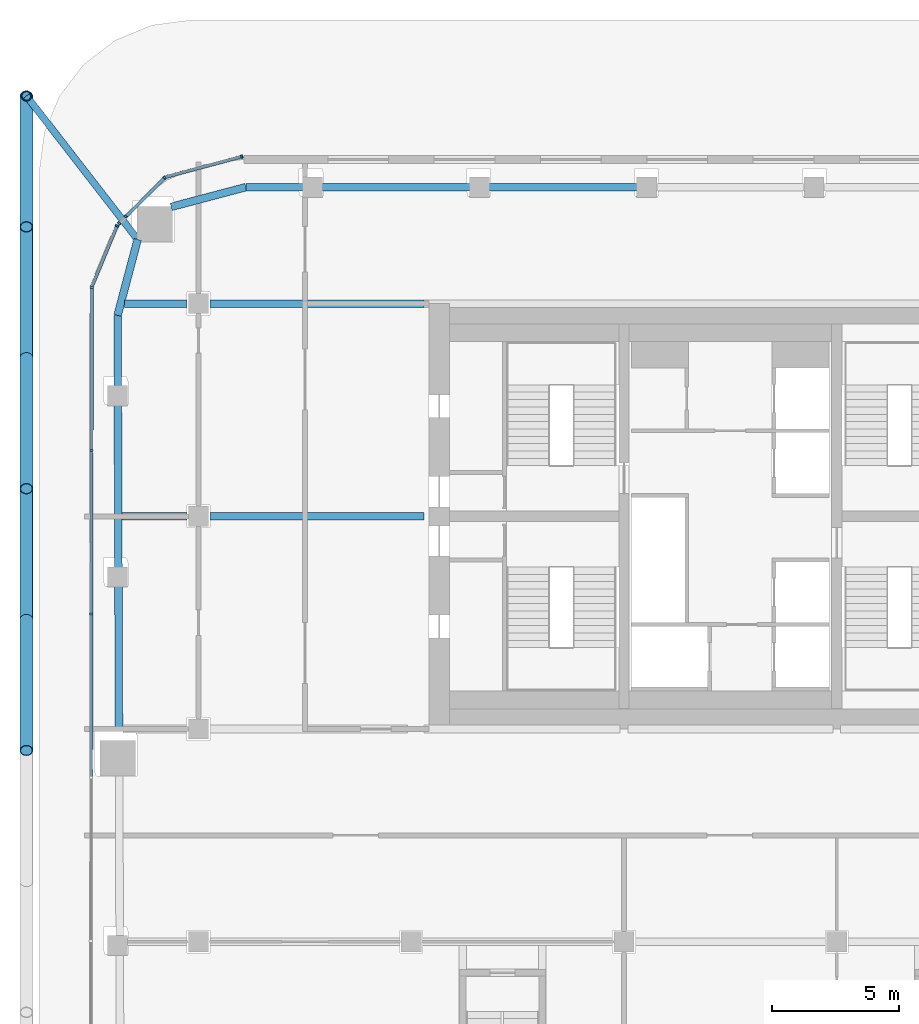
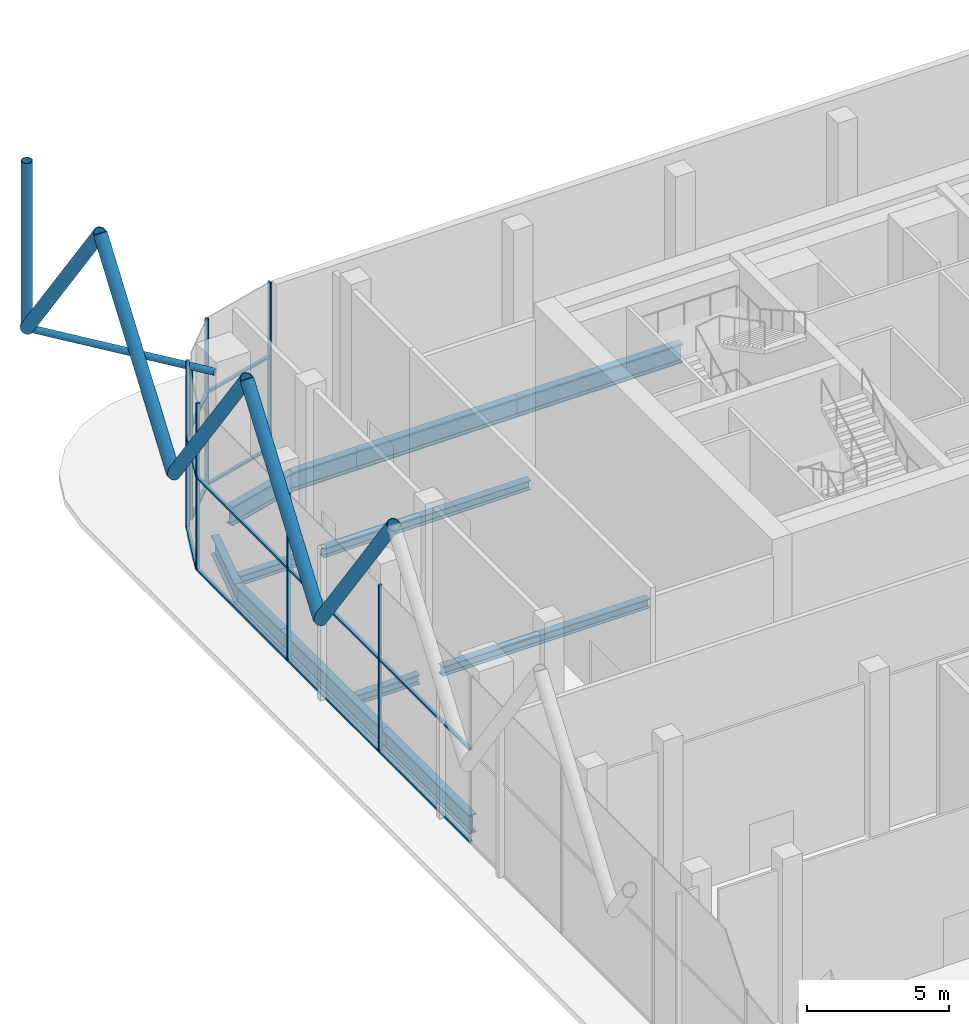
# One storey, part 8 of 25: 27 members, 12 beams, 5 elements without a shape of their own.
"""IFC4 building model written with IfcOpenShell, lengths in metres."""

from ifc_helpers import new_model, si_unit, direction, frame, origin, origin_2d, place, context, subcontext, project, spatial, rectangle, hollow_circle, i_section, extrude, material, layer, layer_set, material_profile, profile_set, type_object, element, aggregate, save


model = new_model("IFC4")

# Units and contexts
model_context = context("Model", 3, precision=1e-05, world=origin(), true_north=direction((0.0, 1.0)))
body_context = subcontext(model_context, "Body", "Model", "MODEL_VIEW")
ifc_project = project(units=[si_unit("LENGTHUNIT", "METRE"), si_unit("AREAUNIT", "SQUARE_METRE"), si_unit("VOLUMEUNIT", "CUBIC_METRE"), si_unit("PLANEANGLEUNIT", "RADIAN"), si_unit("MASSUNIT", "GRAM", prefix="KILO")], contexts=[model_context])

# Site, building, storey
site_placement = place(None, origin())
site = spatial("IfcSite", under=ifc_project, at=site_placement, CompositionType="ELEMENT")
building_placement = place(site_placement, origin())
building = spatial("IfcBuilding", under=site, at=building_placement, Name="Marenta Gate Hotel Tower", CompositionType="ELEMENT")
storey_placement = place(building_placement, frame((0.0, 0.0, 180.5)))
storey = spatial("IfcBuildingStorey", under=building, at=storey_placement, Name="L41", CompositionType="ELEMENT", Elevation=180.5)

# Members
ifc_material_1 = material(Name="Steel S355J2W", Category="steel")
ifc_material_profile_1 = material_profile(ifc_material_1, hollow_circle(Radius=0.203125, WallThickness=0.02490234375, at=origin_2d()), Name="CHS 406.4x25")
ifc_profile_set_1 = profile_set([ifc_material_profile_1], Name="Steel S355J2W")
member_type_1 = type_object("IfcMemberType", Name="Diagrid corner post Z3 CHS 406.4x25", PredefinedType="POST", material=ifc_profile_set_1)
member_1_placement = place(storey_placement, frame((-27.800048828125, 25.0, 6.739990234375), z_axis=(0.0, 0.0, 1.0), x_axis=(1.0, 0.0, 0.0)))
element("IfcMember", 1, at=member_1_placement, inside=storey, type_object=member_type_1, Name="L41-DR-6", PredefinedType="POST", context=body_context, shape_type="SweptSolid", body=[
    extrude(hollow_circle(Radius=0.203125, WallThickness=0.02490234375, at=origin_2d()), origin(), (0.0, 0.0, 1.0), 7.199951171875),
])
ifc_material_2 = material(Name="Steel S355J2W", Category="steel")
ifc_material_profile_2 = material_profile(ifc_material_2, hollow_circle(Radius=0.25390625, WallThickness=0.02490234375, at=origin_2d()), Name="CHS 508x25")
ifc_profile_set_2 = profile_set([ifc_material_profile_2], Name="Steel S355J2W")
member_type_2 = type_object("IfcMemberType", Name="Diagrid diagonal Z3 CHS 508x25", PredefinedType="BRACE", material=ifc_profile_set_2)
member_2_placement = place(storey_placement, frame((-27.800048828125, 4.31982421875, 6.739990234375), z_axis=(0.0, -0.583260841117, 0.812284919975), x_axis=(1.0, 0.0, 0.0)))
element("IfcMember", 2, at=member_2_placement, inside=storey, type_object=member_type_2, Name="L41-DG-30", PredefinedType="BRACE", context=body_context, shape_type="SweptSolid", body=[
    extrude(hollow_circle(Radius=0.25390625, WallThickness=0.02490234375, at=origin_2d()), origin(), (0.0, 0.0, 1.0), 8.86376953125),
])
member_3_placement = place(storey_placement, frame((-27.800048828125, 4.31982421875, 6.739990234375), z_axis=(0.0, 0.583279014058, 0.812271870595), x_axis=(-1.0, 0.0, 0.0)))
element("IfcMember", 3, at=member_3_placement, inside=storey, type_object=member_type_2, Name="L41-DG-31", PredefinedType="BRACE", context=body_context, shape_type="SweptSolid", body=[
    extrude(hollow_circle(Radius=0.25390625, WallThickness=0.02490234375, at=origin_2d()), origin(), (0.0, 0.0, 1.0), 8.864013671875),
])
member_4_placement = place(storey_placement, frame((-27.800048828125, 14.659912109375, 6.739990234375), z_axis=(0.0, -0.583260841117, 0.812284919975), x_axis=(1.0, 0.0, 0.0)))
element("IfcMember", 4, at=member_4_placement, inside=storey, type_object=member_type_2, Name="L41-DG-32", PredefinedType="BRACE", context=body_context, shape_type="SweptSolid", body=[
    extrude(hollow_circle(Radius=0.25390625, WallThickness=0.02490234375, at=origin_2d()), origin(), (0.0, 0.0, 1.0), 8.86376953125),
])
member_5_placement = place(storey_placement, frame((-27.800048828125, 14.659912109375, 6.739990234375), z_axis=(0.0, 0.583279014058, 0.812271870595), x_axis=(-1.0, 0.0, 0.0)))
element("IfcMember", 5, at=member_5_placement, inside=storey, type_object=member_type_2, Name="L41-DG-33", PredefinedType="BRACE", context=body_context, shape_type="SweptSolid", body=[
    extrude(hollow_circle(Radius=0.25390625, WallThickness=0.02490234375, at=origin_2d()), origin(), (0.0, 0.0, 1.0), 8.864013671875),
])
member_6_placement = place(storey_placement, frame((-27.800048828125, 25.0, 6.739990234375), z_axis=(0.0, -0.583260841117, 0.812284919975), x_axis=(1.0, 0.0, 0.0)))
element("IfcMember", 6, at=member_6_placement, inside=storey, type_object=member_type_2, Name="L41-DG-34", PredefinedType="BRACE", context=body_context, shape_type="SweptSolid", body=[
    extrude(hollow_circle(Radius=0.25390625, WallThickness=0.02490234375, at=origin_2d()), origin(), (0.0, 0.0, 1.0), 8.86376953125),
])

# Beams
ifc_material_3 = material(Name="Steel S355", Category="steel")
ifc_material_profile_3 = material_profile(ifc_material_3, i_section(OverallWidth=0.302978515625, OverallDepth=0.81396484375, WebThickness=0.030029296875, FlangeThickness=0.052001953125, FilletRadius=0.030029296875, at=origin_2d()), Name="HEM 800")
ifc_profile_set_3 = profile_set([ifc_material_profile_3], Name="Steel S355")
beam_type_1 = type_object("IfcBeamType", Name="Edge beam HEM 800", PredefinedType="SPANDREL", material=ifc_profile_set_3)
beam_1_placement = place(storey_placement, frame((-24.145263671875, -0.099609375, -0.6669921875), z_axis=(-0.003338481455, 0.999994427255, 0.0), x_axis=(-0.999994427255, -0.003338481455, 0.0)))
element("IfcBeam", 7, at=beam_1_placement, inside=storey, type_object=beam_type_1, Name="L41-EB-7", PredefinedType="SPANDREL", context=body_context, shape_type="SweptSolid", body=[
    extrude(i_section(OverallWidth=0.302978515625, OverallDepth=0.81396484375, WebThickness=0.030029296875, FlangeThickness=0.052001953125, FilletRadius=0.030029296875, at=origin_2d()), origin(), (0.0, 0.0, 1.0), 6.142822265625),
])
beam_2_placement = place(storey_placement, frame((-24.16552734375, 5.96337890625, -0.6669921875), z_axis=(-0.003307775471, 0.999994529296, 0.0), x_axis=(-0.999994529296, -0.003307775471, 0.0)))
element("IfcBeam", 8, at=beam_2_placement, inside=storey, type_object=beam_type_1, Name="L41-EB-8", PredefinedType="SPANDREL", context=body_context, shape_type="SweptSolid", body=[
    extrude(i_section(OverallWidth=0.302978515625, OverallDepth=0.81396484375, WebThickness=0.030029296875, FlangeThickness=0.052001953125, FilletRadius=0.030029296875, at=origin_2d()), origin(), (0.0, 0.0, 1.0), 7.233154296875),
])
beam_3_placement = place(storey_placement, frame((-24.189208984375, 13.116455078125, -0.6669921875), z_axis=(-0.003338119631, 0.999994428463, 0.0), x_axis=(-0.999994428463, -0.003338119631, 0.0)))
element("IfcBeam", 9, at=beam_3_placement, inside=storey, type_object=beam_type_1, Name="L41-EB-9", PredefinedType="SPANDREL", context=body_context, shape_type="SweptSolid", body=[
    extrude(i_section(OverallWidth=0.302978515625, OverallDepth=0.81396484375, WebThickness=0.030029296875, FlangeThickness=0.052001953125, FilletRadius=0.030029296875, at=origin_2d()), origin(), (0.0, 0.0, 1.0), 3.218017578125),
])
beam_4_placement = place(storey_placement, frame((-24.199951171875, 16.33447265625, -0.6669921875), z_axis=(0.255648013319, 0.966769927794, 0.0), x_axis=(-0.966769927794, 0.255648013319, 0.0)))
element("IfcBeam", 10, at=beam_4_placement, inside=storey, type_object=beam_type_1, Name="L41-EB-10", PredefinedType="SPANDREL", context=body_context, shape_type="SweptSolid", body=[
    extrude(i_section(OverallWidth=0.302978515625, OverallDepth=0.81396484375, WebThickness=0.030029296875, FlangeThickness=0.052001953125, FilletRadius=0.030029296875, at=origin_2d()), origin(), (0.0, 0.0, 1.0), 3.100830078125),
])
beam_5_placement = place(storey_placement, frame((-22.082763671875, 20.620361328125, -0.6669921875), z_axis=(0.966776252273, 0.255624095189, 0.0), x_axis=(-0.255624095189, 0.966776252273, 0.0)))
element("IfcBeam", 11, at=beam_5_placement, inside=storey, type_object=beam_type_1, Name="L41-EB-11", PredefinedType="SPANDREL", context=body_context, shape_type="SweptSolid", body=[
    extrude(i_section(OverallWidth=0.302978515625, OverallDepth=0.81396484375, WebThickness=0.030029296875, FlangeThickness=0.052001953125, FilletRadius=0.030029296875, at=origin_2d()), origin(), (0.0, 0.0, 1.0), 3.049560546875),
])
beam_6_placement = place(storey_placement, frame((-19.134521484375, 21.39990234375, -0.6669921875), z_axis=(1.0, 0.0, 0.0), x_axis=(0.0, 1.0, 0.0)))
element("IfcBeam", 12, at=beam_6_placement, inside=storey, type_object=beam_type_1, Name="L41-EB-12", PredefinedType="SPANDREL", context=body_context, shape_type="SweptSolid", body=[
    extrude(i_section(OverallWidth=0.302978515625, OverallDepth=0.81396484375, WebThickness=0.030029296875, FlangeThickness=0.052001953125, FilletRadius=0.030029296875, at=origin_2d()), origin(), (0.0, 0.0, 1.0), 2.667724609375),
])
beam_7_placement = place(storey_placement, frame((-16.546875, 21.39990234375, -0.6669921875), z_axis=(1.0, 0.0, 0.0), x_axis=(0.0, 1.0, 0.0)))
element("IfcBeam", 13, at=beam_7_placement, inside=storey, type_object=beam_type_1, Name="L41-EB-13", PredefinedType="SPANDREL", context=body_context, shape_type="SweptSolid", body=[
    extrude(i_section(OverallWidth=0.302978515625, OverallDepth=0.81396484375, WebThickness=0.030029296875, FlangeThickness=0.052001953125, FilletRadius=0.030029296875, at=origin_2d()), origin(), (0.0, 0.0, 1.0), 6.682861328125),
])
beam_8_placement = place(storey_placement, frame((-9.944091796875, 21.39990234375, -0.6669921875), z_axis=(1.0, 0.0, 0.0), x_axis=(0.0, 1.0, 0.0)))
element("IfcBeam", 14, at=beam_8_placement, inside=storey, type_object=beam_type_1, Name="L41-EB-14", PredefinedType="SPANDREL", context=body_context, shape_type="SweptSolid", body=[
    extrude(i_section(OverallWidth=0.302978515625, OverallDepth=0.81396484375, WebThickness=0.030029296875, FlangeThickness=0.052001953125, FilletRadius=0.030029296875, at=origin_2d()), origin(), (0.0, 0.0, 1.0), 6.6826171875),
])

# Member
ifc_material_4 = material(Name="Steel S355J2W", Category="steel")
ifc_material_profile_4 = material_profile(ifc_material_4, hollow_circle(Radius=0.136474609375, WallThickness=0.012451171875, at=origin_2d()), Name="CHS 273x12.5")
ifc_profile_set_4 = profile_set([ifc_material_profile_4], Name="Steel S355J2W")
member_type_3 = type_object("IfcMemberType", Name="Floor tie CHS 273x12.5", PredefinedType="STRUT", material=ifc_profile_set_4)
member_7_placement = place(storey_placement, frame((-27.800048828125, 25.0, 6.739990234375), z_axis=(0.61259242592, -0.790398962363, 0.0), x_axis=(0.790398962363, 0.61259242592, 0.0)))
element("IfcMember", 15, at=member_7_placement, inside=storey, type_object=member_type_3, Name="L41-DR-12", PredefinedType="STRUT", context=body_context, shape_type="SweptSolid", body=[
    extrude(hollow_circle(Radius=0.136474609375, WallThickness=0.012451171875, at=origin_2d()), origin(), (0.0, 0.0, 1.0), 7.163330078125),
])

# Beams
ifc_material_5 = material(Name="Steel S355", Category="steel")
ifc_material_profile_5 = material_profile(ifc_material_5, i_section(OverallWidth=0.300048828125, OverallDepth=0.39990234375, WebThickness=0.013427734375, FlangeThickness=0.02392578125, FilletRadius=0.027099609375, at=origin_2d()), Name="HEB 400")
ifc_profile_set_5 = profile_set([ifc_material_profile_5], Name="Steel S355")
beam_type_2 = type_object("IfcBeamType", Name="Girder HEB 400", PredefinedType="BEAM", material=ifc_profile_set_5)
beam_9_placement = place(storey_placement, frame((-24.02197265625, 8.39990234375, -0.4599609375), z_axis=(1.0, 0.0, 0.0), x_axis=(0.0, 1.0, 0.0)))
element("IfcBeam", 16, at=beam_9_placement, inside=storey, type_object=beam_type_2, Name="L41-GD-29", PredefinedType="BEAM", context=body_context, shape_type="SweptSolid", body=[
    extrude(i_section(OverallWidth=0.300048828125, OverallDepth=0.39990234375, WebThickness=0.013427734375, FlangeThickness=0.02392578125, FilletRadius=0.027099609375, at=origin_2d()), origin(), (0.0, 0.0, 1.0), 2.572021484375),
])
beam_10_placement = place(storey_placement, frame((-20.550048828125, 8.39990234375, -0.4599609375), z_axis=(1.0, 0.0, 0.0), x_axis=(0.0, 1.0, 0.0)))
element("IfcBeam", 17, at=beam_10_placement, inside=storey, type_object=beam_type_2, Name="L41-GD-30", PredefinedType="BEAM", context=body_context, shape_type="SweptSolid", body=[
    extrude(i_section(OverallWidth=0.300048828125, OverallDepth=0.39990234375, WebThickness=0.013427734375, FlangeThickness=0.02392578125, FilletRadius=0.027099609375, at=origin_2d()), origin(), (0.0, 0.0, 1.0), 8.449951171875),
])
beam_11_placement = place(storey_placement, frame((-23.920166015625, 16.800048828125, -0.4599609375), z_axis=(1.0, 0.0, 0.0), x_axis=(0.0, 1.0, 0.0)))
element("IfcBeam", 18, at=beam_11_placement, inside=storey, type_object=beam_type_2, Name="L41-GD-33", PredefinedType="BEAM", context=body_context, shape_type="SweptSolid", body=[
    extrude(i_section(OverallWidth=0.300048828125, OverallDepth=0.39990234375, WebThickness=0.013427734375, FlangeThickness=0.02392578125, FilletRadius=0.027099609375, at=origin_2d()), origin(), (0.0, 0.0, 1.0), 2.47021484375),
])
beam_12_placement = place(storey_placement, frame((-20.550048828125, 16.800048828125, -0.4599609375), z_axis=(1.0, 0.0, 0.0), x_axis=(0.0, 1.0, 0.0)))
element("IfcBeam", 19, at=beam_12_placement, inside=storey, type_object=beam_type_2, Name="L41-GD-34", PredefinedType="BEAM", context=body_context, shape_type="SweptSolid", body=[
    extrude(i_section(OverallWidth=0.300048828125, OverallDepth=0.39990234375, WebThickness=0.013427734375, FlangeThickness=0.02392578125, FilletRadius=0.027099609375, at=origin_2d()), origin(), (0.0, 0.0, 1.0), 8.449951171875),
])

# Curtain wall, member
ifc_material_6 = material(Name="Tinted insulated glass in bronze anodised frame", Category="glass")
ifc_layer = layer(ifc_material_6, 0.1298828125)
ifc_layer_set = layer_set([ifc_layer], Name="Tinted insulated glass in bronze anodised frame")
curtain_wall_type = type_object("IfcCurtainWallType", Name="Sky lobby glazing CW2", PredefinedType="NOTDEFINED", material=ifc_layer_set)
curtain_wall_1_placement = place(storey_placement, origin())
curtain_wall_1 = element("IfcCurtainWall", 20, at=curtain_wall_1_placement, inside=storey, type_object=curtain_wall_type, Name="CW2 run G00", PredefinedType="NOTDEFINED")
ifc_material_7 = material(Name="Bronze anodised aluminium", Category="aluminium")
ifc_material_profile_6 = material_profile(ifc_material_7, rectangle(XDim=0.1298828125, YDim=0.080078125, at=origin_2d()), Name="Mullion CW2 80x130 bronze anodised aluminium")
ifc_profile_set_6 = profile_set([ifc_material_profile_6], Name="Bronze anodised aluminium")
member_type_4 = type_object("IfcMemberType", Name="Mullion CW2 80x130 bronze anodised aluminium", PredefinedType="MULLION", material=ifc_profile_set_6)
member_8_placement = place(storey_placement, frame((-19.29638671875, 22.60546875, 0.0), z_axis=(0.0, 0.0, 1.0), x_axis=(0.258787140543, -0.965934374525, 0.0)))
member_8 = element("IfcMember", 21, at=member_8_placement, type_object=member_type_4, Name="CW2 mullion 1", PredefinedType="MULLION", context=body_context, shape_type="SweptSolid", body=[
    extrude(rectangle(XDim=0.1298828125, YDim=0.080078125, at=origin_2d()), origin(), (0.0, 0.0, 1.0), 7.199951171875),
])

curtain_wall_2_placement = place(storey_placement, origin())
curtain_wall_2 = element("IfcCurtainWall", 22, at=curtain_wall_2_placement, inside=storey, type_object=curtain_wall_type, Name="CW2 run G01", PredefinedType="NOTDEFINED")
member_9_placement = place(storey_placement, frame((-22.34375, 21.768310546875, 0.0), z_axis=(0.0, 0.0, 1.0), x_axis=(0.707106781187, -0.707106781187, 0.0)))
member_9 = element("IfcMember", 23, at=member_9_placement, type_object=member_type_4, Name="CW2 mullion 1", PredefinedType="MULLION", context=body_context, shape_type="SweptSolid", body=[
    extrude(rectangle(XDim=0.1298828125, YDim=0.080078125, at=origin_2d()), origin(), (0.0, 0.0, 1.0), 7.199951171875),
])

# Curtain wall, members
curtain_wall_3_placement = place(storey_placement, origin())
curtain_wall_3 = element("IfcCurtainWall", 24, at=curtain_wall_3_placement, inside=storey, type_object=curtain_wall_type, Name="CW2 run G02", PredefinedType="NOTDEFINED")
member_10_placement = place(storey_placement, frame((-23.87353515625, 20.238525390625, 0.0), z_axis=(0.0, 0.0, 1.0), x_axis=(0.707106781187, -0.707106781187, 0.0)))
member_10 = element("IfcMember", 25, at=member_10_placement, type_object=member_type_4, Name="CW2 mullion 1", PredefinedType="MULLION", context=body_context, shape_type="SweptSolid", body=[
    extrude(rectangle(XDim=0.1298828125, YDim=0.080078125, at=origin_2d()), origin(), (0.0, 0.0, 1.0), 6.6005859375),
])
member_11_placement = place(storey_placement, frame((-24.139892578125, 19.97216796875, 0.0), z_axis=(0.0, 0.0, 1.0), x_axis=(0.707106781187, -0.707106781187, 0.0)))
member_11 = element("IfcMember", 26, at=member_11_placement, type_object=member_type_4, Name="CW2 mullion 2", PredefinedType="MULLION", context=body_context, shape_type="SweptSolid", body=[
    extrude(rectangle(XDim=0.1298828125, YDim=0.080078125, at=origin_2d()), origin(), (0.0, 0.0, 1.0), 6.6005859375),
])
aggregate(curtain_wall_3, [member_10, member_11])

# Curtain wall, member
curtain_wall_4_placement = place(storey_placement, origin())
curtain_wall_4 = element("IfcCurtainWall", 27, at=curtain_wall_4_placement, inside=storey, type_object=curtain_wall_type, Name="CW2 run G03", PredefinedType="NOTDEFINED")
member_12_placement = place(storey_placement, frame((-24.223388671875, 19.8671875, 0.0), z_axis=(0.0, 0.0, 1.0), x_axis=(0.923892538028, -0.382652032761, 0.0)))
member_12 = element("IfcMember", 28, at=member_12_placement, type_object=member_type_4, Name="CW2 mullion 1", PredefinedType="MULLION", context=body_context, shape_type="SweptSolid", body=[
    extrude(rectangle(XDim=0.1298828125, YDim=0.080078125, at=origin_2d()), origin(), (0.0, 0.0, 1.0), 7.199951171875),
])

# Curtain wall, members
curtain_wall_5_placement = place(storey_placement, origin())
curtain_wall_5 = element("IfcCurtainWall", 29, at=curtain_wall_5_placement, inside=storey, type_object=curtain_wall_type, Name="CW2 run G04", PredefinedType="NOTDEFINED")
member_13_placement = place(storey_placement, frame((-25.21728515625, 17.42724609375, 0.0), z_axis=(0.0, 0.0, 1.0), x_axis=(0.999998773883, -0.001565960706, 0.0)))
member_13 = element("IfcMember", 30, at=member_13_placement, type_object=member_type_4, Name="CW2 mullion 1", PredefinedType="MULLION", context=body_context, shape_type="SweptSolid", body=[
    extrude(rectangle(XDim=0.1298828125, YDim=0.080078125, at=origin_2d()), origin(), (0.0, 0.0, 1.0), 7.199951171875),
])
member_14_placement = place(storey_placement, frame((-25.227294921875, 11.0068359375, 0.0), z_axis=(0.0, 0.0, 1.0), x_axis=(0.999998773883, -0.001565960706, 0.0)))
member_14 = element("IfcMember", 31, at=member_14_placement, type_object=member_type_4, Name="CW2 mullion 2", PredefinedType="MULLION", context=body_context, shape_type="SweptSolid", body=[
    extrude(rectangle(XDim=0.1298828125, YDim=0.080078125, at=origin_2d()), origin(), (0.0, 0.0, 1.0), 7.199951171875),
])
member_15_placement = place(storey_placement, frame((-25.237548828125, 4.54638671875, 0.0), z_axis=(0.0, 0.0, 1.0), x_axis=(0.999998773883, -0.001565960706, 0.0)))
member_15 = element("IfcMember", 32, at=member_15_placement, type_object=member_type_4, Name="CW2 mullion 3", PredefinedType="MULLION", context=body_context, shape_type="SweptSolid", body=[
    extrude(rectangle(XDim=0.1298828125, YDim=0.080078125, at=origin_2d()), origin(), (0.0, 0.0, 1.0), 7.199951171875),
])

# Member
ifc_material_8 = material(Name="Bronze anodised aluminium", Category="aluminium")
ifc_material_profile_7 = material_profile(ifc_material_8, rectangle(XDim=0.1298828125, YDim=0.080078125, at=origin_2d()), Name="Transom CW2 80x130 bronze anodised aluminium")
ifc_profile_set_7 = profile_set([ifc_material_profile_7], Name="Bronze anodised aluminium")
member_type_5 = type_object("IfcMemberType", Name="Transom CW2 80x130 bronze anodised aluminium", PredefinedType="USERDEFINED", material=ifc_profile_set_7)
member_16_placement = place(storey_placement, frame((-19.3349609375, 22.59521484375, 0.0400390625), z_axis=(-0.965928273926, -0.258809910224, 0.0), x_axis=(0.258809910224, -0.965928273926, 0.0)))
member_16 = element("IfcMember", 33, at=member_16_placement, type_object=member_type_5, Name="CW2 transom 1.1", ObjectType="TRANSOM", PredefinedType="USERDEFINED", context=body_context, shape_type="SweptSolid", body=[
    extrude(rectangle(XDim=0.1298828125, YDim=0.080078125, at=origin_2d()), origin(), (0.0, 0.0, 1.0), 3.085693359375),
])

member_17_placement = place(storey_placement, frame((-19.3349609375, 22.59521484375, 4.0), z_axis=(-0.965928273926, -0.258809910224, 0.0), x_axis=(0.258809910224, -0.965928273926, 0.0)))
member_17 = element("IfcMember", 34, at=member_17_placement, type_object=member_type_5, Name="CW2 transom 1.2", ObjectType="TRANSOM", PredefinedType="USERDEFINED", context=body_context, shape_type="SweptSolid", body=[
    extrude(rectangle(XDim=0.1298828125, YDim=0.080078125, at=origin_2d()), origin(), (0.0, 0.0, 1.0), 3.085693359375),
])

aggregate(curtain_wall_1, [member_8, member_16, member_17])

member_18_placement = place(storey_placement, frame((-22.3720703125, 21.739990234375, 0.0400390625), z_axis=(-0.707106781187, -0.707106781187, 0.0), x_axis=(0.707106781187, -0.707106781187, 0.0)))
member_18 = element("IfcMember", 35, at=member_18_placement, type_object=member_type_5, Name="CW2 transom 1.1", ObjectType="TRANSOM", PredefinedType="USERDEFINED", context=body_context, shape_type="SweptSolid", body=[
    extrude(rectangle(XDim=0.1298828125, YDim=0.080078125, at=origin_2d()), origin(), (0.0, 0.0, 1.0), 2.083251953125),
])

member_19_placement = place(storey_placement, frame((-22.3720703125, 21.739990234375, 4.0), z_axis=(-0.707106781187, -0.707106781187, 0.0), x_axis=(0.707106781187, -0.707106781187, 0.0)))
member_19 = element("IfcMember", 36, at=member_19_placement, type_object=member_type_5, Name="CW2 transom 1.2", ObjectType="TRANSOM", PredefinedType="USERDEFINED", context=body_context, shape_type="SweptSolid", body=[
    extrude(rectangle(XDim=0.1298828125, YDim=0.080078125, at=origin_2d()), origin(), (0.0, 0.0, 1.0), 2.083251953125),
])

aggregate(curtain_wall_2, [member_9, member_18, member_19])

member_20_placement = place(storey_placement, frame((-24.238525390625, 19.830078125, 0.0400390625), z_axis=(-0.382703080891, -0.923871393581, 0.0), x_axis=(0.923871393581, -0.382703080891, 0.0)))
member_20 = element("IfcMember", 37, at=member_20_placement, type_object=member_type_5, Name="CW2 transom 1.1", ObjectType="TRANSOM", PredefinedType="USERDEFINED", context=body_context, shape_type="SweptSolid", body=[
    extrude(rectangle(XDim=0.1298828125, YDim=0.080078125, at=origin_2d()), origin(), (0.0, 0.0, 1.0), 2.557373046875),
])

member_21_placement = place(storey_placement, frame((-24.238525390625, 19.830078125, 4.0), z_axis=(-0.382703080891, -0.923871393581, 0.0), x_axis=(0.923871393581, -0.382703080891, 0.0)))
member_21 = element("IfcMember", 38, at=member_21_placement, type_object=member_type_5, Name="CW2 transom 1.2", ObjectType="TRANSOM", PredefinedType="USERDEFINED", context=body_context, shape_type="SweptSolid", body=[
    extrude(rectangle(XDim=0.1298828125, YDim=0.080078125, at=origin_2d()), origin(), (0.0, 0.0, 1.0), 2.557373046875),
])

aggregate(curtain_wall_4, [member_12, member_20, member_21])

member_22_placement = place(storey_placement, frame((-25.217529296875, 17.38720703125, 0.0400390625), z_axis=(-0.00154023691, -0.999998813834, 0.0), x_axis=(0.999998813834, -0.00154023691, 0.0)))
member_22 = element("IfcMember", 39, at=member_22_placement, type_object=member_type_5, Name="CW2 transom 1.1", ObjectType="TRANSOM", PredefinedType="USERDEFINED", context=body_context, shape_type="SweptSolid", body=[
    extrude(rectangle(XDim=0.1298828125, YDim=0.080078125, at=origin_2d()), origin(), (0.0, 0.0, 1.0), 6.34033203125),
])

member_23_placement = place(storey_placement, frame((-25.217529296875, 17.38720703125, 4.0), z_axis=(-0.00154023691, -0.999998813834, 0.0), x_axis=(0.999998813834, -0.00154023691, 0.0)))
member_23 = element("IfcMember", 40, at=member_23_placement, type_object=member_type_5, Name="CW2 transom 1.2", ObjectType="TRANSOM", PredefinedType="USERDEFINED", context=body_context, shape_type="SweptSolid", body=[
    extrude(rectangle(XDim=0.1298828125, YDim=0.080078125, at=origin_2d()), origin(), (0.0, 0.0, 1.0), 6.34033203125),
])

member_24_placement = place(storey_placement, frame((-25.2275390625, 10.966796875, 0.0400390625), z_axis=(-0.001568835599, -0.999998769377, 0.0), x_axis=(0.999998769377, -0.001568835599, 0.0)))
member_24 = element("IfcMember", 41, at=member_24_placement, type_object=member_type_5, Name="CW2 transom 2.1", ObjectType="TRANSOM", PredefinedType="USERDEFINED", context=body_context, shape_type="SweptSolid", body=[
    extrude(rectangle(XDim=0.1298828125, YDim=0.080078125, at=origin_2d()), origin(), (0.0, 0.0, 1.0), 6.38037109375),
])

member_25_placement = place(storey_placement, frame((-25.2275390625, 10.966796875, 4.0), z_axis=(-0.001568835599, -0.999998769377, 0.0), x_axis=(0.999998769377, -0.001568835599, 0.0)))
member_25 = element("IfcMember", 42, at=member_25_placement, type_object=member_type_5, Name="CW2 transom 2.2", ObjectType="TRANSOM", PredefinedType="USERDEFINED", context=body_context, shape_type="SweptSolid", body=[
    extrude(rectangle(XDim=0.1298828125, YDim=0.080078125, at=origin_2d()), origin(), (0.0, 0.0, 1.0), 6.38037109375),
])

member_26_placement = place(storey_placement, frame((-25.237548828125, 4.506591796875, 0.0400390625), z_axis=(-0.001568835599, -0.999998769377, 0.0), x_axis=(0.999998769377, -0.001568835599, 0.0)))
member_26 = element("IfcMember", 43, at=member_26_placement, type_object=member_type_5, Name="CW2 transom 3.1", ObjectType="TRANSOM", PredefinedType="USERDEFINED", context=body_context, shape_type="SweptSolid", body=[
    extrude(rectangle(XDim=0.1298828125, YDim=0.080078125, at=origin_2d()), origin(), (0.0, 0.0, 1.0), 6.38037109375),
])

member_27_placement = place(storey_placement, frame((-25.237548828125, 4.506591796875, 4.0), z_axis=(-0.001568835599, -0.999998769377, 0.0), x_axis=(0.999998769377, -0.001568835599, 0.0)))
member_27 = element("IfcMember", 44, at=member_27_placement, type_object=member_type_5, Name="CW2 transom 3.2", ObjectType="TRANSOM", PredefinedType="USERDEFINED", context=body_context, shape_type="SweptSolid", body=[
    extrude(rectangle(XDim=0.1298828125, YDim=0.080078125, at=origin_2d()), origin(), (0.0, 0.0, 1.0), 6.38037109375),
])

aggregate(curtain_wall_5, [member_13, member_14, member_15, member_22, member_23, member_24, member_25, member_26, member_27])

save(model, "model.ifc")
